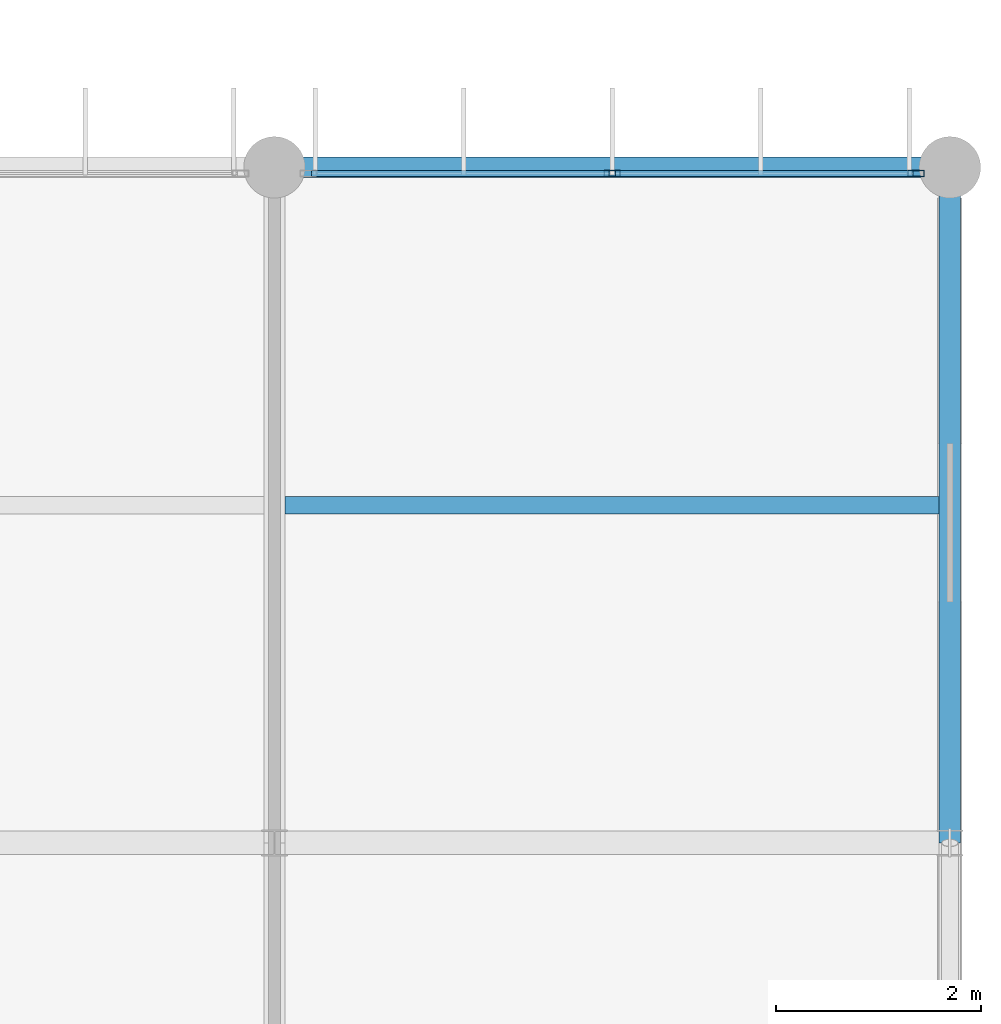
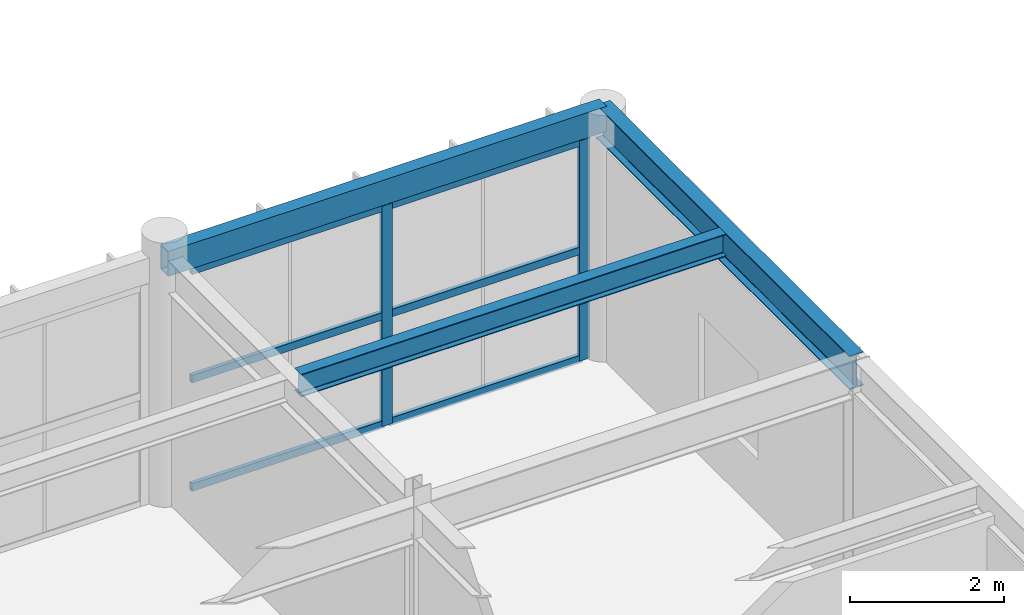
# One storey, part 44 of 66: 8 members, 3 beams, 1 element without a shape of its own.
"""IFC4 building model written with IfcOpenShell, lengths in metres."""

from ifc_helpers import new_model, si_unit, direction, frame, origin, origin_2d, place, context, subcontext, project, spatial, hollow_rectangle, i_section, extrude, material, material_profile, profile_set, type_object, element, aggregate, save


model = new_model("IFC4")

# Units and contexts
model_context = context("Model", 3, precision=1e-05, world=origin(), true_north=direction((0.0, 1.0)))
body_context = subcontext(model_context, "Body", "Model", "MODEL_VIEW")
ifc_project = project(units=[si_unit("LENGTHUNIT", "METRE"), si_unit("AREAUNIT", "SQUARE_METRE"), si_unit("VOLUMEUNIT", "CUBIC_METRE"), si_unit("PLANEANGLEUNIT", "RADIAN"), si_unit("MASSUNIT", "GRAM", prefix="KILO")], contexts=[model_context])

# Site, building, storey
site_placement = place(None, origin())
site = spatial("IfcSite", under=ifc_project, at=site_placement, CompositionType="ELEMENT")
building_placement = place(site_placement, origin())
building = spatial("IfcBuilding", under=site, at=building_placement, Name="Karori Crest Natural Sciences Institute", CompositionType="ELEMENT")
storey_placement = place(building_placement, frame((0.0, 0.0, 30.10009765625)))
storey = spatial("IfcBuildingStorey", under=building, at=storey_placement, Name="L07", CompositionType="ELEMENT", Elevation=30.10009765625)

# Beams
ifc_material_1 = material(Name="Structural steel AS/NZS 3679.1 Grade 350", Category="steel")
ifc_material_profile_1 = material_profile(ifc_material_1, i_section(OverallWidth=0.208984375, OverallDepth=0.532958984375, WebThickness=0.01025390625, FlangeThickness=0.015625, FilletRadius=0.013916015625, at=origin_2d()), Name="530UB92.4")
ifc_profile_set_1 = profile_set([ifc_material_profile_1], Name="Structural steel AS/NZS 3679.1 Grade 350")
beam_type_1 = type_object("IfcBeamType", Name="BT-05-EL", PredefinedType="BEAM", material=ifc_profile_set_1)
beam_1_placement = place(storey_placement, frame((156.39990234375, 14.0, 3.6533203125), z_axis=(0.0, 1.0, 0.0), x_axis=(-1.0, 0.0, 0.0)))
element("IfcBeam", 1, at=beam_1_placement, inside=storey, type_object=beam_type_1, Name="Beam B-2674", PredefinedType="BEAM", context=body_context, shape_type="SweptSolid", body=[
    extrude(i_section(OverallWidth=0.208984375, OverallDepth=0.532958984375, WebThickness=0.01025390625, FlangeThickness=0.015625, FilletRadius=0.013916015625, at=origin_2d()), origin(), (0.0, 0.0, 1.0), 6.60009765625),
])
ifc_material_profile_2 = material_profile(ifc_material_1, i_section(OverallWidth=0.172119140625, OverallDepth=0.35888671875, WebThickness=0.008056640625, FlangeThickness=0.012939453125, FilletRadius=0.010986328125, at=origin_2d()), Name="360UB56.7")
ifc_profile_set_2 = profile_set([ifc_material_profile_2], Name="Structural steel AS/NZS 3679.1 Grade 350")
beam_type_2 = type_object("IfcBeamType", Name="BT-08", PredefinedType="BEAM", material=ifc_profile_set_2)
beam_2_placement = place(storey_placement, frame((149.904541015625, 17.300048828125, 3.740478515625), z_axis=(1.0, 0.0, 0.0), x_axis=(0.0, 1.0, 0.0)))
element("IfcBeam", 2, at=beam_2_placement, inside=storey, type_object=beam_type_2, Name="Beam B-2694", PredefinedType="BEAM", context=body_context, shape_type="SweptSolid", body=[
    extrude(i_section(OverallWidth=0.172119140625, OverallDepth=0.35888671875, WebThickness=0.008056640625, FlangeThickness=0.012939453125, FilletRadius=0.010986328125, at=origin_2d()), origin(), (0.0, 0.0, 1.0), 6.390869140625),
])
ifc_material_2 = material(Name="Hollow structural steel AS/NZS 1163 Grade C350", Category="steel")
ifc_material_profile_3 = material_profile(ifc_material_2, hollow_rectangle(XDim=0.199951171875, YDim=0.39990234375, WallThickness=0.012451171875, at=origin_2d()), Name="RHS400x200x12.5")
ifc_profile_set_3 = profile_set([ifc_material_profile_3], Name="Hollow structural steel AS/NZS 1163 Grade C350")
beam_type_3 = type_object("IfcBeamType", Name="BT-14", PredefinedType="SPANDREL", material=ifc_profile_set_3)
beam_3_placement = place(storey_placement, frame((149.800048828125, 20.60009765625, 3.719970703125), z_axis=(1.0, 0.0, 0.0), x_axis=(0.0, 1.0, 0.0)))
element("IfcBeam", 3, at=beam_3_placement, inside=storey, type_object=beam_type_3, Name="Beam B-2647", PredefinedType="SPANDREL", context=body_context, shape_type="SweptSolid", body=[
    extrude(hollow_rectangle(XDim=0.199951171875, YDim=0.39990234375, WallThickness=0.012451171875, at=origin_2d()), origin(), (0.0, 0.0, 1.0), 6.599853515625),
])

# Curtain wall, members
ifc_material_3 = material(Name="Anodised architectural aluminium 6063-T6", Category="aluminium")
curtain_wall_type = type_object("IfcCurtainWallType", Name="CWT-20", PredefinedType="NOTDEFINED", material=ifc_material_3)
curtain_wall_placement = place(storey_placement, origin())
curtain_wall = element("IfcCurtainWall", 4, at=curtain_wall_placement, inside=storey, type_object=curtain_wall_type, Name="Curtain wall CW-0364", PredefinedType="NOTDEFINED")
ifc_material_profile_4 = material_profile(ifc_material_3, hollow_rectangle(XDim=0.06494140625, YDim=0.159912109375, WallThickness=0.00390625, at=origin_2d()), Name="CWM160x65x4")
ifc_profile_set_4 = profile_set([ifc_material_profile_4], Name="Anodised architectural aluminium 6063-T6")
member_type_1 = type_object("IfcMemberType", Name="CWM-01", PredefinedType="MULLION", material=ifc_profile_set_4)
member_1_placement = place(storey_placement, frame((153.10009765625, 20.5400390625, 0.0), z_axis=(0.0, 0.0, 1.0), x_axis=(0.0, 1.0, 0.0)))
member_1 = element("IfcMember", 5, at=member_1_placement, type_object=member_type_1, Name="CW-0364 mullion 2", PredefinedType="MULLION", context=body_context, shape_type="SweptSolid", body=[
    extrude(hollow_rectangle(XDim=0.06494140625, YDim=0.159912109375, WallThickness=0.00390625, at=origin_2d()), origin(), (0.0, 0.0, 1.0), 3.5048828125),
])
member_2_placement = place(storey_placement, frame((156.069580078125, 20.5400390625, 0.0), z_axis=(0.0, 0.0, 1.0), x_axis=(0.0, 1.0, 0.0)))
member_2 = element("IfcMember", 6, at=member_2_placement, type_object=member_type_1, Name="CW-0364 mullion 3", PredefinedType="MULLION", context=body_context, shape_type="SweptSolid", body=[
    extrude(hollow_rectangle(XDim=0.06494140625, YDim=0.159912109375, WallThickness=0.00390625, at=origin_2d()), origin(), (0.0, 0.0, 1.0), 3.5048828125),
])
ifc_material_profile_5 = material_profile(ifc_material_3, hollow_rectangle(XDim=0.06005859375, YDim=0.1201171875, WallThickness=0.00390625, at=origin_2d()), Name="CWT120x60x4")
ifc_profile_set_5 = profile_set([ifc_material_profile_5], Name="Anodised architectural aluminium 6063-T6")
member_type_2 = type_object("IfcMemberType", Name="CWT-TR1", PredefinedType="USERDEFINED", material=ifc_profile_set_5)
member_3_placement = place(storey_placement, frame((150.1630859375, 20.5400390625, 0.02978515625), z_axis=(1.0, 0.0, 0.0), x_axis=(0.0, 1.0, 0.0)))
member_3 = element("IfcMember", 7, at=member_3_placement, type_object=member_type_2, Name="CW-0364 transom 1.1", ObjectType="TRANSOM", PredefinedType="USERDEFINED", context=body_context, shape_type="SweptSolid", body=[
    extrude(hollow_rectangle(XDim=0.06005859375, YDim=0.1201171875, WallThickness=0.00390625, at=origin_2d()), origin(), (0.0, 0.0, 1.0), 2.904296875),
])
member_4_placement = place(storey_placement, frame((150.1630859375, 20.5400390625, 1.75244140625), z_axis=(1.0, 0.0, 0.0), x_axis=(0.0, 1.0, 0.0)))
member_4 = element("IfcMember", 8, at=member_4_placement, type_object=member_type_2, Name="CW-0364 transom 1.2", ObjectType="TRANSOM", PredefinedType="USERDEFINED", context=body_context, shape_type="SweptSolid", body=[
    extrude(hollow_rectangle(XDim=0.06005859375, YDim=0.1201171875, WallThickness=0.00390625, at=origin_2d()), origin(), (0.0, 0.0, 1.0), 2.904296875),
])
member_5_placement = place(storey_placement, frame((150.1630859375, 20.5400390625, 3.474853515625), z_axis=(1.0, 0.0, 0.0), x_axis=(0.0, 1.0, 0.0)))
member_5 = element("IfcMember", 9, at=member_5_placement, type_object=member_type_2, Name="CW-0364 transom 1.3", ObjectType="TRANSOM", PredefinedType="USERDEFINED", context=body_context, shape_type="SweptSolid", body=[
    extrude(hollow_rectangle(XDim=0.06005859375, YDim=0.1201171875, WallThickness=0.00390625, at=origin_2d()), origin(), (0.0, 0.0, 1.0), 2.904296875),
])
member_6_placement = place(storey_placement, frame((153.132568359375, 20.5400390625, 0.02978515625), z_axis=(1.0, 0.0, 0.0), x_axis=(0.0, 1.0, 0.0)))
member_6 = element("IfcMember", 10, at=member_6_placement, type_object=member_type_2, Name="CW-0364 transom 2.1", ObjectType="TRANSOM", PredefinedType="USERDEFINED", context=body_context, shape_type="SweptSolid", body=[
    extrude(hollow_rectangle(XDim=0.06005859375, YDim=0.1201171875, WallThickness=0.00390625, at=origin_2d()), origin(), (0.0, 0.0, 1.0), 2.904541015625),
])
member_7_placement = place(storey_placement, frame((153.132568359375, 20.5400390625, 1.75244140625), z_axis=(1.0, 0.0, 0.0), x_axis=(0.0, 1.0, 0.0)))
member_7 = element("IfcMember", 11, at=member_7_placement, type_object=member_type_2, Name="CW-0364 transom 2.2", ObjectType="TRANSOM", PredefinedType="USERDEFINED", context=body_context, shape_type="SweptSolid", body=[
    extrude(hollow_rectangle(XDim=0.06005859375, YDim=0.1201171875, WallThickness=0.00390625, at=origin_2d()), origin(), (0.0, 0.0, 1.0), 2.904541015625),
])
member_8_placement = place(storey_placement, frame((153.132568359375, 20.5400390625, 3.474853515625), z_axis=(1.0, 0.0, 0.0), x_axis=(0.0, 1.0, 0.0)))
member_8 = element("IfcMember", 12, at=member_8_placement, type_object=member_type_2, Name="CW-0364 transom 2.3", ObjectType="TRANSOM", PredefinedType="USERDEFINED", context=body_context, shape_type="SweptSolid", body=[
    extrude(hollow_rectangle(XDim=0.06005859375, YDim=0.1201171875, WallThickness=0.00390625, at=origin_2d()), origin(), (0.0, 0.0, 1.0), 2.904541015625),
])
aggregate(curtain_wall, [member_1, member_2, member_3, member_4, member_5, member_6, member_7, member_8])

save(model, "model.ifc")
